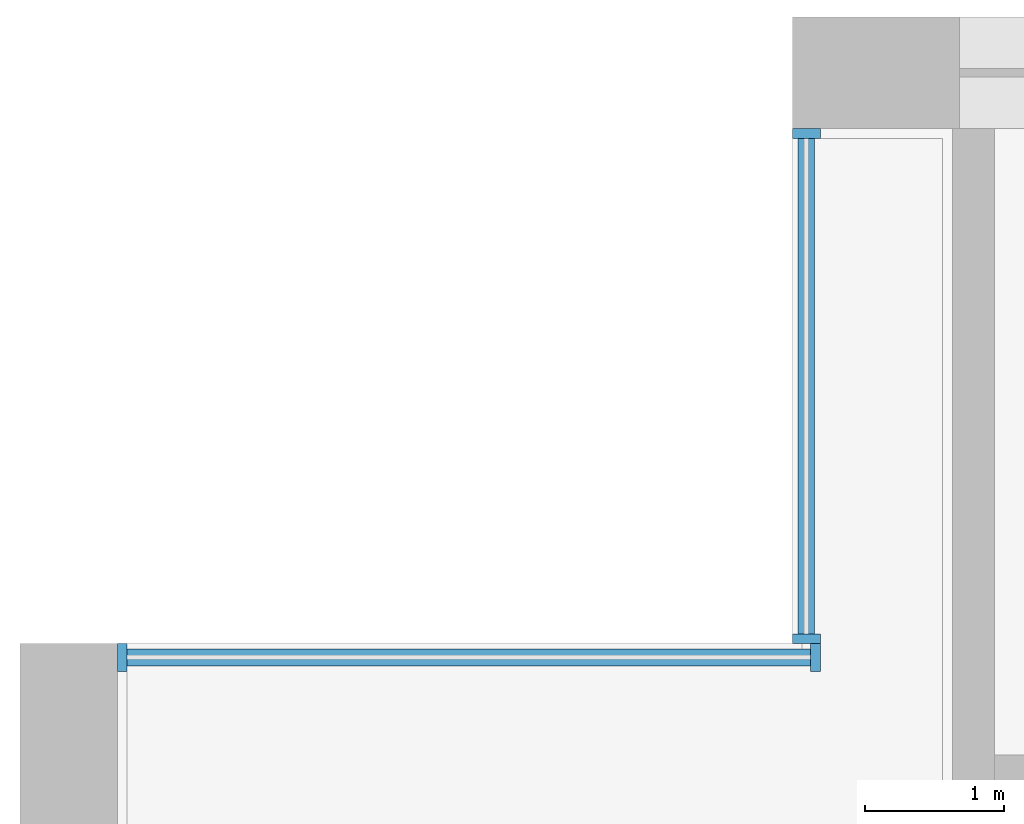
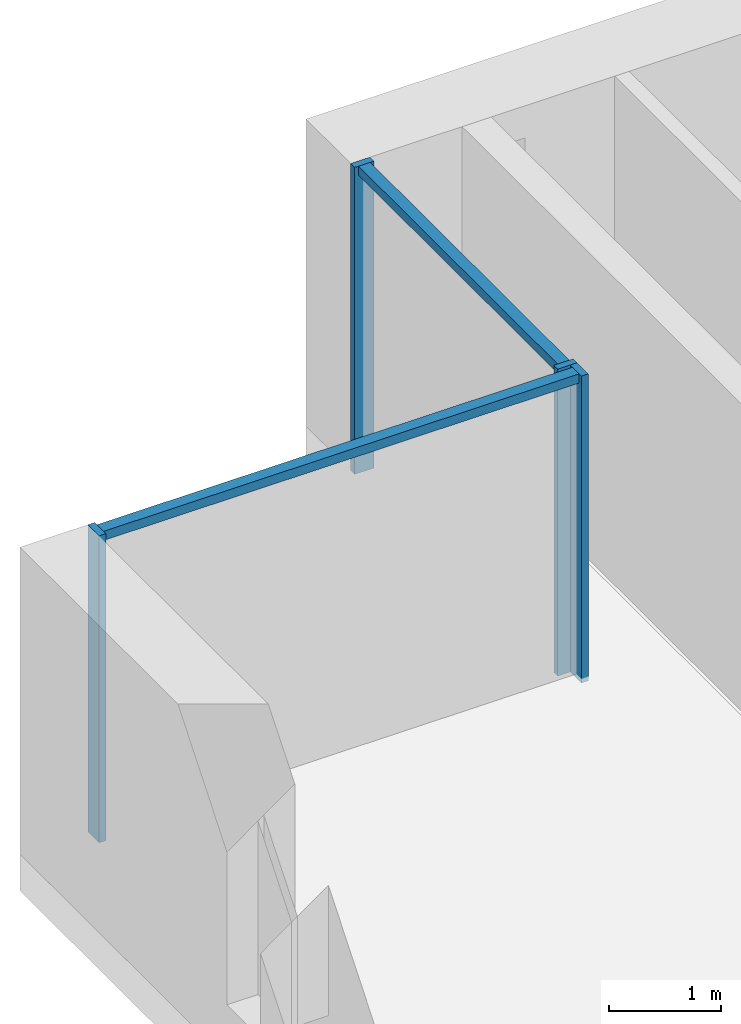
# One storey, part 4 of 15: 6 members, 2 elements without a shape of their own.
"""IFC4 building model written with IfcOpenShell, lengths in metres."""

from ifc_helpers import new_model, si_unit, direction, frame, origin, origin_2d, place, context, subcontext, project, spatial, rectangle, extrude, material, material_profile, profile_set, type_object, element, aggregate, save


model = new_model("IFC4")

# Units and contexts
model_context = context("Model", 3, precision=1e-05, world=origin(), true_north=direction((0.0, 1.0)))
body_context = subcontext(model_context, "Body", "Model", "MODEL_VIEW")
ifc_project = project(units=[si_unit("LENGTHUNIT", "METRE"), si_unit("AREAUNIT", "SQUARE_METRE"), si_unit("VOLUMEUNIT", "CUBIC_METRE"), si_unit("PLANEANGLEUNIT", "RADIAN"), si_unit("MASSUNIT", "GRAM", prefix="KILO")], contexts=[model_context])

# Site, building, storey
site_placement = place(None, origin())
site = spatial("IfcSite", under=ifc_project, at=site_placement, CompositionType="ELEMENT")
building_placement = place(site_placement, origin())
building = spatial("IfcBuilding", under=site, at=building_placement, Name="Calvaro Tower", CompositionType="ELEMENT")
storey_placement = place(building_placement, frame((0.0, 0.0, 110.0)))
storey = spatial("IfcBuildingStorey", under=building, at=storey_placement, Name="L27", CompositionType="ELEMENT", Elevation=110.0)

# Curtain wall, members
ifc_material_1 = material(Name="Anodised aluminium", Category="aluminium")
curtain_wall_type = type_object("IfcCurtainWallType", Name="Office curtain wall, middle zone", PredefinedType="NOTDEFINED", material=ifc_material_1)
curtain_wall_1_placement = place(storey_placement, origin())
curtain_wall_1 = element("IfcCurtainWall", 1, at=curtain_wall_1_placement, inside=storey, type_object=curtain_wall_type, Name="CW2 corner curtain wall", PredefinedType="NOTDEFINED")
ifc_material_2 = material(Name="Anodised aluminium", Category="aluminium")
ifc_material_profile_1 = material_profile(ifc_material_2, rectangle(XDim=0.199951171875, YDim=0.070068359375, at=origin_2d()), Name="Mullion S2 70 x 200")
ifc_profile_set_1 = profile_set([ifc_material_profile_1], Name="Anodised aluminium")
member_type_1 = type_object("IfcMemberType", Name="Mullion S2 70 x 200", PredefinedType="MULLION", material=ifc_profile_set_1)
member_1_placement = place(storey_placement, frame((5.64990234375, 41.534912109375, 0.0), z_axis=(0.0, 0.0, 1.0), x_axis=(-1.0, 0.0, 0.0)))
member_1 = element("IfcMember", 2, at=member_1_placement, type_object=member_type_1, Name="CW2 mullion 1", PredefinedType="MULLION", context=body_context, shape_type="SweptSolid", body=[
    extrude(rectangle(XDim=0.199951171875, YDim=0.070068359375, at=origin_2d()), origin(), (0.0, 0.0, 1.0), 3.35009765625),
])
member_2_placement = place(storey_placement, frame((5.64990234375, 45.1650390625, 0.0), z_axis=(0.0, 0.0, 1.0), x_axis=(-1.0, 0.0, 0.0)))
member_2 = element("IfcMember", 3, at=member_2_placement, type_object=member_type_1, Name="CW2 mullion 2", PredefinedType="MULLION", context=body_context, shape_type="SweptSolid", body=[
    extrude(rectangle(XDim=0.199951171875, YDim=0.070068359375, at=origin_2d()), origin(), (0.0, 0.0, 1.0), 3.35009765625),
])

curtain_wall_2_placement = place(storey_placement, origin())
curtain_wall_2 = element("IfcCurtainWall", 4, at=curtain_wall_2_placement, inside=storey, type_object=curtain_wall_type, Name="CW2 corner curtain wall", PredefinedType="NOTDEFINED")
member_3_placement = place(storey_placement, frame((0.735107421875, 41.39990234375, 0.0), z_axis=(0.0, 0.0, 1.0), x_axis=(0.0, 1.0, 0.0)))
member_3 = element("IfcMember", 5, at=member_3_placement, type_object=member_type_1, Name="CW2 mullion 1", PredefinedType="MULLION", context=body_context, shape_type="SweptSolid", body=[
    extrude(rectangle(XDim=0.199951171875, YDim=0.070068359375, at=origin_2d()), origin(), (0.0, 0.0, 1.0), 3.35009765625),
])
member_4_placement = place(storey_placement, frame((5.715087890625, 41.39990234375, 0.0), z_axis=(0.0, 0.0, 1.0), x_axis=(0.0, 1.0, 0.0)))
member_4 = element("IfcMember", 6, at=member_4_placement, type_object=member_type_1, Name="CW2 mullion 2", PredefinedType="MULLION", context=body_context, shape_type="SweptSolid", body=[
    extrude(rectangle(XDim=0.199951171875, YDim=0.070068359375, at=origin_2d()), origin(), (0.0, 0.0, 1.0), 3.35009765625),
])

# Member
ifc_material_3 = material(Name="Anodised aluminium", Category="aluminium")
ifc_material_profile_2 = material_profile(ifc_material_3, rectangle(XDim=0.1201171875, YDim=0.10009765625, at=origin_2d()), Name="Transom S2 100 x 120")
ifc_profile_set_2 = profile_set([ifc_material_profile_2], Name="Anodised aluminium")
member_type_2 = type_object("IfcMemberType", Name="Transom S2 100 x 120", PredefinedType="USERDEFINED", material=ifc_profile_set_2)
member_5_placement = place(storey_placement, frame((5.64990234375, 41.570068359375, 3.300048828125), z_axis=(0.0, 1.0, 0.0), x_axis=(-1.0, 0.0, 0.0)))
member_5 = element("IfcMember", 7, at=member_5_placement, type_object=member_type_2, Name="CW2 transom 1.1", ObjectType="TRANSOM", PredefinedType="USERDEFINED", context=body_context, shape_type="SweptSolid", body=[
    extrude(rectangle(XDim=0.1201171875, YDim=0.10009765625, at=origin_2d()), origin(), (0.0, 0.0, 1.0), 3.559814453125),
])

aggregate(curtain_wall_1, [member_1, member_2, member_5])

member_6_placement = place(storey_placement, frame((0.77001953125, 41.39990234375, 3.300048828125), z_axis=(1.0, 0.0, 0.0), x_axis=(0.0, 1.0, 0.0)))
member_6 = element("IfcMember", 8, at=member_6_placement, type_object=member_type_2, Name="CW2 transom 1.1", ObjectType="TRANSOM", PredefinedType="USERDEFINED", context=body_context, shape_type="SweptSolid", body=[
    extrude(rectangle(XDim=0.1201171875, YDim=0.10009765625, at=origin_2d()), origin(), (0.0, 0.0, 1.0), 4.909912109375),
])

aggregate(curtain_wall_2, [member_3, member_4, member_6])

save(model, "model.ifc")
